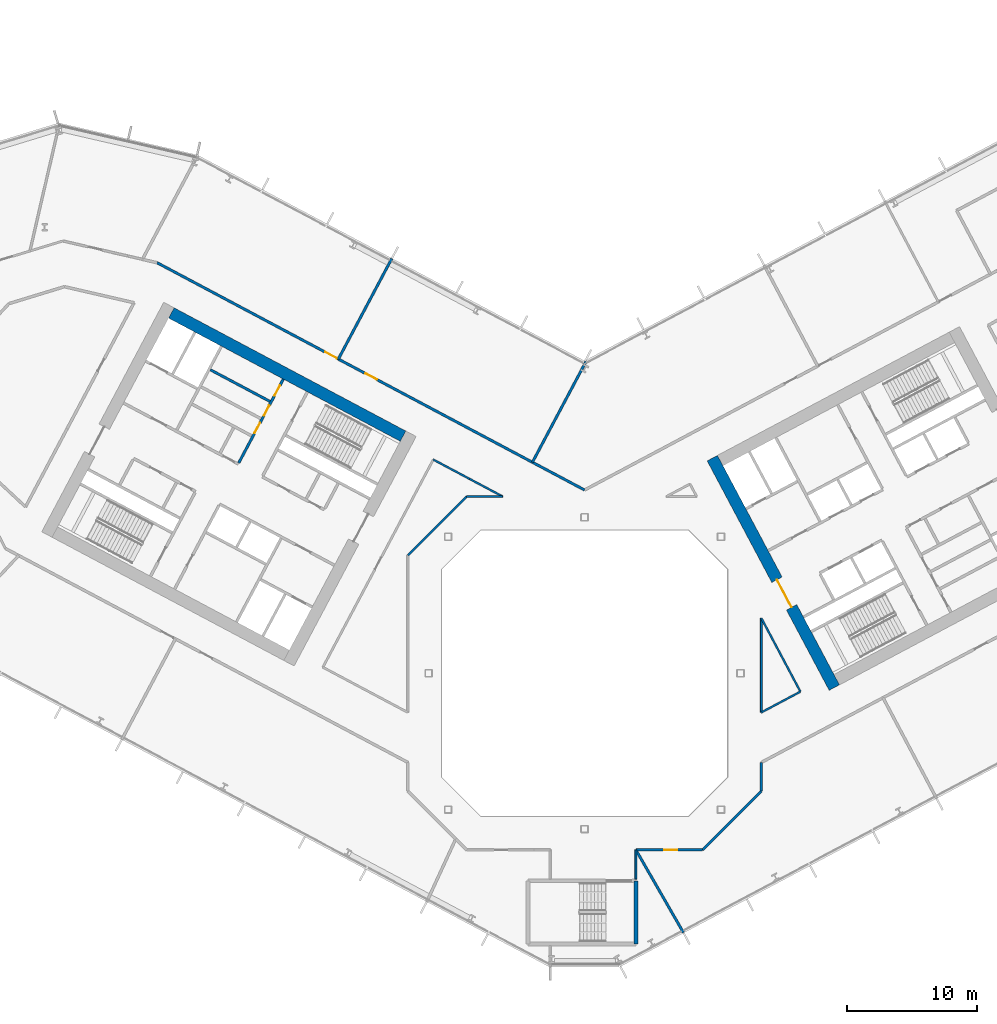
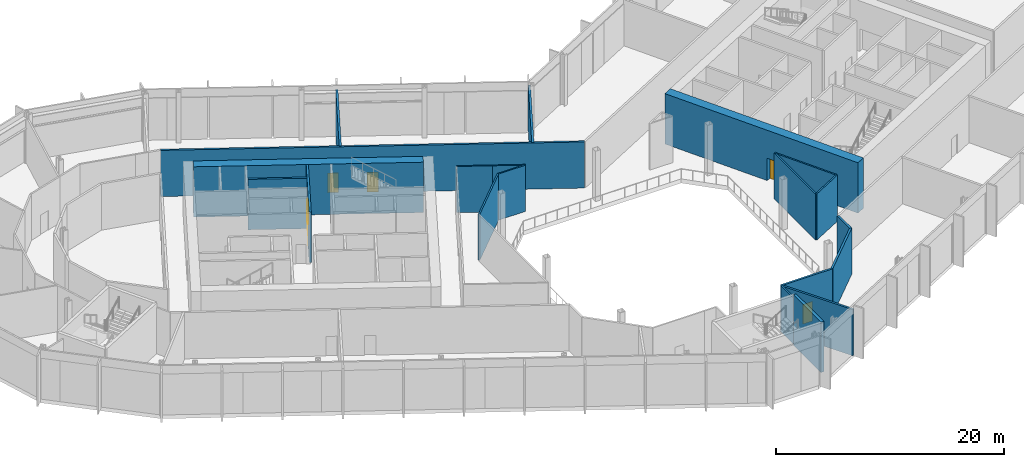
# One storey, part 14 of 31: 20 walls, 7 doors, 7 openings.
"""IFC4 building model written with IfcOpenShell, lengths in metres."""

from ifc_helpers import new_model, si_unit, direction, frame, frame_2d, origin, place, context, subcontext, project, spatial, rectangle, extrude, material, layer, layer_set, type_object, element, fill, save


model = new_model("IFC4")

# Units and contexts
model_context = context("Model", 3, precision=1e-05, world=origin(), true_north=direction((0.0, 1.0)))
body_context = subcontext(model_context, "Body", "Model", "MODEL_VIEW")
ifc_project = project(units=[si_unit("LENGTHUNIT", "METRE"), si_unit("AREAUNIT", "SQUARE_METRE"), si_unit("VOLUMEUNIT", "CUBIC_METRE"), si_unit("PLANEANGLEUNIT", "RADIAN"), si_unit("MASSUNIT", "GRAM", prefix="KILO")], contexts=[model_context])

# Site, building, storey
site_placement = place(None, origin())
site = spatial("IfcSite", under=ifc_project, at=site_placement, CompositionType="ELEMENT")
building_placement = place(site_placement, origin())
building = spatial("IfcBuilding", under=site, at=building_placement, Name="Cormorant Relay Tower", CompositionType="ELEMENT")
storey_placement = place(building_placement, frame((0.0, 0.0, 50.0)))
storey = spatial("IfcBuildingStorey", under=building, at=storey_placement, Name="L09", CompositionType="ELEMENT", Elevation=50.0)

# Wall
ifc_material_1 = material(Name="Concrete 40 MPa", Category="concrete")
ifc_layer_1 = layer(ifc_material_1, 0.199951171875)
ifc_layer_set_1 = layer_set([ifc_layer_1], Name="Core internal wall 200")
wall_type_1 = type_object("IfcWallType", Name="Core internal wall 200", PredefinedType="SOLIDWALL", material=ifc_layer_set_1)
wall_1_placement = place(storey_placement, frame((-24.214599609375, 20.91650390625, 0.0), z_axis=(0.0, 0.0, 1.0), x_axis=(-0.882964314875, 0.469440111896, 0.0)))
element("IfcWall", 1, at=wall_1_placement, inside=storey, type_object=wall_type_1, Name="L09 core A shaft and room wall", PredefinedType="SOLIDWALL", context=body_context, shape_type="SweptSolid", body=[
    extrude(rectangle(XDim=5.2001953125, YDim=0.199951171875, at=frame_2d((2.60009765625, 0.0))), origin(), (0.0, 0.0, 1.0), 5.39990234375),
])

# Wall, openings, doors
ifc_material_2 = material(Name="Concrete 50 MPa", Category="concrete")
ifc_layer_2 = layer(ifc_material_2, 0.199951171875)
ifc_layer_set_2 = layer_set([ifc_layer_2], Name="Core shaft wall 200")
wall_type_2 = type_object("IfcWallType", Name="Core shaft wall 200", PredefinedType="SHEAR", material=ifc_layer_set_2)
wall_2_placement = place(storey_placement, frame((-23.1875, 22.635498046875, 0.0), z_axis=(0.0, 0.0, 1.0), x_axis=(-0.469454336211, -0.882956752176, 0.0)))
wall_2 = element("IfcWall", 2, at=wall_2_placement, inside=storey, type_object=wall_type_2, Name="L09 core A shaft wall", PredefinedType="SHEAR", context=body_context, shape_type="SweptSolid", body=[
    extrude(rectangle(XDim=7.300048828125, YDim=0.199951171875, at=frame_2d((3.64990234375, 0.0))), origin(), (0.0, 0.0, 1.0), 5.39990234375),
])
opening_1_placement = place(wall_2_placement, frame((0.550048828125, 0.0, 0.0)))
opening_1 = element("IfcOpeningElement", 3, at=opening_1_placement, cuts=wall_2, Name="Opening CDD-071", PredefinedType="OPENING", context=body_context, shape_type="SweptSolid", body=[
    extrude(rectangle(XDim=0.89990234375, YDim=2.10009765625, at=frame_2d((0.449951171875, 1.050048828125))), frame((0.0, 0.10986328125, 0.0), z_axis=(0.0, -1.0, 0.0), x_axis=(1.0, 0.0, 0.0)), (0.0, 0.0, 1.0), 0.219970703125),
])
opening_2_placement = place(wall_2_placement, frame((2.300048828125, 0.0, 0.0)))
opening_2 = element("IfcOpeningElement", 4, at=opening_2_placement, cuts=wall_2, Name="Opening CDD-072", PredefinedType="OPENING", context=body_context, shape_type="SweptSolid", body=[
    extrude(rectangle(XDim=0.89990234375, YDim=2.10009765625, at=frame_2d((0.449951171875, 1.050048828125))), frame((0.0, 0.10986328125, 0.0), z_axis=(0.0, -1.0, 0.0), x_axis=(1.0, 0.0, 0.0)), (0.0, 0.0, 1.0), 0.219970703125),
])
opening_3_placement = place(wall_2_placement, frame((3.800048828125, 0.0, 0.0)))
opening_3 = element("IfcOpeningElement", 5, at=opening_3_placement, cuts=wall_2, Name="Opening CDD-073", PredefinedType="OPENING", context=body_context, shape_type="SweptSolid", body=[
    extrude(rectangle(XDim=0.89990234375, YDim=2.10009765625, at=frame_2d((0.449951171875, 1.050048828125))), frame((0.0, 0.10986328125, 0.0), z_axis=(0.0, -1.0, 0.0), x_axis=(1.0, 0.0, 0.0)), (0.0, 0.0, 1.0), 0.219970703125),
])
ifc_material_3 = material(Name="Steel fire door", Category="steel")
door_type_1 = type_object("IfcDoorType", Name="Core room door 900x2100", OperationType="SINGLE_SWING_LEFT", PredefinedType="DOOR", material=ifc_material_3)
door_1_placement = place(opening_1_placement, origin())
door_1 = element("IfcDoor", 6, at=door_1_placement, inside=storey, type_object=door_type_1, Name="Core room door 900x2100", OperationType="SINGLE_SWING_LEFT", OverallHeight=2.10009765625, OverallWidth=0.89990234375, PredefinedType="DOOR", context=body_context, shape_type="SweptSolid", body=[
    extrude(rectangle(XDim=0.89990234375, YDim=2.10009765625, at=frame_2d((0.449951171875, 1.050048828125))), frame((0.0, 0.02490234375, 0.0), z_axis=(0.0, -1.0, 0.0), x_axis=(1.0, 0.0, 0.0)), (0.0, 0.0, 1.0), 0.050048828125),
])
fill(opening_1, door_1)
door_2_placement = place(opening_2_placement, origin())
door_2 = element("IfcDoor", 7, at=door_2_placement, inside=storey, type_object=door_type_1, Name="Core room door 900x2100", OperationType="SINGLE_SWING_LEFT", OverallHeight=2.10009765625, OverallWidth=0.89990234375, PredefinedType="DOOR", context=body_context, shape_type="SweptSolid", body=[
    extrude(rectangle(XDim=0.89990234375, YDim=2.10009765625, at=frame_2d((0.449951171875, 1.050048828125))), frame((0.0, 0.02490234375, 0.0), z_axis=(0.0, -1.0, 0.0), x_axis=(1.0, 0.0, 0.0)), (0.0, 0.0, 1.0), 0.050048828125),
])
fill(opening_2, door_2)
door_3_placement = place(opening_3_placement, frame((0.89990234375, 0.0, 0.0), z_axis=(0.0, 0.0, 1.0), x_axis=(-1.0, 0.0, 0.0)))
door_3 = element("IfcDoor", 8, at=door_3_placement, inside=storey, type_object=door_type_1, Name="Core room door 900x2100", OperationType="SINGLE_SWING_RIGHT", OverallHeight=2.10009765625, OverallWidth=0.89990234375, PredefinedType="DOOR", context=body_context, shape_type="SweptSolid", body=[
    extrude(rectangle(XDim=0.89990234375, YDim=2.10009765625, at=frame_2d((0.449951171875, 1.050048828125))), frame((0.0, 0.02490234375, 0.0), z_axis=(0.0, -1.0, 0.0), x_axis=(1.0, 0.0, 0.0)), (0.0, 0.0, 1.0), 0.050048828125),
])
fill(opening_3, door_3)

# Wall
ifc_material_4 = material(Name="Concrete 70 MPa", Category="concrete")
ifc_layer_3 = layer(ifc_material_4, 0.89990234375)
ifc_layer_set_3 = layer_set([ifc_layer_3], Name="Core wall 900")
wall_type_3 = type_object("IfcWallType", Name="Core wall 900", PredefinedType="SHEAR", material=ifc_layer_set_3)
wall_3_placement = place(storey_placement, frame((-13.97021484375, 18.244140625, 0.0), z_axis=(0.0, 0.0, 1.0), x_axis=(-0.88294509198, 0.469476266226, 0.0)))
element("IfcWall", 9, at=wall_3_placement, inside=storey, type_object=wall_type_3, Name="L09 core A wall", PredefinedType="SHEAR", context=body_context, shape_type="SweptSolid", body=[
    extrude(rectangle(XDim=20.199951171875, YDim=0.89990234375, at=frame_2d((10.10009765625, 0.0))), origin(), (0.0, 0.0, 1.0), 5.39990234375),
])

# Wall, opening, door
wall_4_placement = place(storey_placement, frame((19.21923828125, -1.106689453125, 0.0), z_axis=(0.0, 0.0, 1.0), x_axis=(-0.46947084998, 0.882947971864, 0.0)))
wall_4 = element("IfcWall", 10, at=wall_4_placement, inside=storey, type_object=wall_type_3, Name="L09 core B wall", PredefinedType="SHEAR", context=body_context, shape_type="SweptSolid", body=[
    extrude(rectangle(XDim=20.0, YDim=0.89990234375, at=frame_2d((10.0, 0.0))), origin(), (0.0, 0.0, 1.0), 5.39990234375),
])
opening_4_placement = place(wall_4_placement, frame((7.0, 0.0, 0.0)))
opening_4 = element("IfcOpeningElement", 11, at=opening_4_placement, cuts=wall_4, Name="Opening CDA-015", PredefinedType="OPENING", context=body_context, shape_type="SweptSolid", body=[
    extrude(rectangle(XDim=2.39990234375, YDim=2.39990234375, at=frame_2d((1.199951171875, 1.199951171875))), frame((0.0, 0.4599609375, 0.0), z_axis=(0.0, -1.0, 0.0), x_axis=(1.0, 0.0, 0.0)), (0.0, 0.0, 1.0), 0.919921875),
])
ifc_material_5 = material(Name="Steel fire door", Category="steel")
door_type_2 = type_object("IfcDoorType", Name="Core lobby door 2400x2400", OperationType="DOUBLE_DOOR_SINGLE_SWING", PredefinedType="DOOR", material=ifc_material_5)
door_4_placement = place(opening_4_placement, frame((2.39990234375, 0.0, 0.0), z_axis=(0.0, 0.0, 1.0), x_axis=(-1.0, 0.0, 0.0)))
door_4 = element("IfcDoor", 12, at=door_4_placement, inside=storey, type_object=door_type_2, Name="Core lobby door 2400x2400", OperationType="DOUBLE_DOOR_SINGLE_SWING", OverallHeight=2.39990234375, OverallWidth=2.39990234375, PredefinedType="DOOR", context=body_context, shape_type="SweptSolid", body=[
    extrude(rectangle(XDim=2.39990234375, YDim=2.39990234375, at=frame_2d((1.199951171875, 1.199951171875))), frame((0.0, 0.02490234375, 0.0), z_axis=(0.0, -1.0, 0.0), x_axis=(1.0, 0.0, 0.0)), (0.0, 0.0, 1.0), 0.050048828125),
])
fill(opening_4, door_4)

# Wall, openings, doors
ifc_material_6 = material(Name="Fire-rated gypsum board partition")
ifc_layer_4 = layer(ifc_material_6, 0.199951171875)
ifc_layer_set_4 = layer_set([ifc_layer_4], Name="Fire-rated gypsum partition 200")
wall_type_4 = type_object("IfcWallType", Name="Fire-rated gypsum partition 200", PredefinedType="PARTITIONING", material=ifc_layer_set_4)
wall_5_placement = place(storey_placement, frame((-32.89404296875, 31.590087890625, 0.0), z_axis=(0.0, 0.0, 1.0), x_axis=(0.882948512555, -0.469469833085, 0.0)))
wall_5 = element("IfcWall", 13, at=wall_5_placement, inside=storey, type_object=wall_type_4, Name="wall/L09/part/32", PredefinedType="PARTITIONING", context=body_context, shape_type="SweptSolid", body=[
    extrude(rectangle(XDim=37.2548828125, YDim=0.199951171875, at=frame_2d((18.62744140625, 0.0))), origin(), (0.0, 0.0, 1.0), 4.949951171875),
])
opening_5_placement = place(wall_5_placement, frame((18.14990234375, 0.0, 0.0)))
opening_5 = element("IfcOpeningElement", 14, at=opening_5_placement, cuts=wall_5, Name="Opening FD1-049", PredefinedType="OPENING", context=body_context, shape_type="SweptSolid", body=[
    extrude(rectangle(XDim=1.0, YDim=2.10009765625, at=frame_2d((0.5, 1.050048828125))), frame((0.0, 0.10986328125, 0.0), z_axis=(0.0, -1.0, 0.0), x_axis=(1.0, 0.0, 0.0)), (0.0, 0.0, 1.0), 0.219970703125),
])
opening_6_placement = place(wall_5_placement, frame((14.64990234375, 0.0, 0.0)))
opening_6 = element("IfcOpeningElement", 15, at=opening_6_placement, cuts=wall_5, Name="Opening FD1-050", PredefinedType="OPENING", context=body_context, shape_type="SweptSolid", body=[
    extrude(rectangle(XDim=1.0, YDim=2.10009765625, at=frame_2d((0.5, 1.050048828125))), frame((0.0, 0.10986328125, 0.0), z_axis=(0.0, -1.0, 0.0), x_axis=(1.0, 0.0, 0.0)), (0.0, 0.0, 1.0), 0.219970703125),
])
ifc_material_7 = material(Name="Fire-rated steel door", Category="steel")
door_type_3 = type_object("IfcDoorType", Name="Fire door 1000 x 2100", OperationType="SINGLE_SWING_LEFT", PredefinedType="DOOR", material=ifc_material_7)
door_5_placement = place(opening_5_placement, origin())
door_5 = element("IfcDoor", 16, at=door_5_placement, inside=storey, type_object=door_type_3, Name="door/L09/11", OperationType="SINGLE_SWING_RIGHT", OverallHeight=2.10009765625, OverallWidth=1.0, PredefinedType="DOOR", context=body_context, shape_type="SweptSolid", body=[
    extrude(rectangle(XDim=1.0, YDim=2.10009765625, at=frame_2d((0.5, 1.050048828125))), frame((0.0, 0.02490234375, 0.0), z_axis=(0.0, -1.0, 0.0), x_axis=(1.0, 0.0, 0.0)), (0.0, 0.0, 1.0), 0.050048828125),
])
fill(opening_5, door_5)
door_6_placement = place(opening_6_placement, origin())
door_6 = element("IfcDoor", 17, at=door_6_placement, inside=storey, type_object=door_type_3, Name="door/L09/12", OperationType="SINGLE_SWING_RIGHT", OverallHeight=2.10009765625, OverallWidth=1.0, PredefinedType="DOOR", context=body_context, shape_type="SweptSolid", body=[
    extrude(rectangle(XDim=1.0, YDim=2.10009765625, at=frame_2d((0.5, 1.050048828125))), frame((0.0, 0.02490234375, 0.0), z_axis=(0.0, -1.0, 0.0), x_axis=(1.0, 0.0, 0.0)), (0.0, 0.0, 1.0), 0.050048828125),
])
fill(opening_6, door_6)

# Walls
wall_6_placement = place(storey_placement, frame((-14.843994140625, 31.903076171875, 0.0), z_axis=(0.0, 0.0, 1.0), x_axis=(-0.469374180568, -0.882999365014, 0.0)))
element("IfcWall", 18, at=wall_6_placement, inside=storey, type_object=wall_type_4, Name="wall/L09/part/34", PredefinedType="PARTITIONING", context=body_context, shape_type="SweptSolid", body=[
    extrude(rectangle(XDim=8.749755859375, YDim=0.199951171875, at=frame_2d((4.375, 0.0))), origin(), (0.0, 0.0, 1.0), 4.949951171875),
])
wall_7_placement = place(storey_placement, frame((0.10498046875, 23.98388671875, 0.0), z_axis=(0.0, 0.0, 1.0), x_axis=(-0.469364726907, -0.883004390213, 0.0)))
element("IfcWall", 19, at=wall_7_placement, inside=storey, type_object=wall_type_4, Name="wall/L09/part/38", PredefinedType="PARTITIONING", context=body_context, shape_type="SweptSolid", body=[
    extrude(rectangle(XDim=8.775390625, YDim=0.199951171875, at=frame_2d((4.3876953125, 0.0))), origin(), (0.0, 0.0, 1.0), 4.949951171875),
])
wall_8_placement = place(storey_placement, frame((13.60009765625, -6.885009765625, 0.0), z_axis=(0.0, 0.0, 1.0), x_axis=(0.0, -1.0, 0.0)))
element("IfcWall", 20, at=wall_8_placement, inside=storey, type_object=wall_type_4, Name="wall/L09/part/53", PredefinedType="PARTITIONING", context=body_context, shape_type="SweptSolid", body=[
    extrude(rectangle(XDim=2.19189453125, YDim=0.199951171875, at=frame_2d((1.095947265625, 0.0))), origin(), (0.0, 0.0, 1.0), 4.949951171875),
])
wall_9_placement = place(storey_placement, frame((13.60009765625, -9.076904296875, 0.0), z_axis=(0.0, 0.0, 1.0), x_axis=(-0.707106781187, -0.707106781187, 0.0)))
element("IfcWall", 21, at=wall_9_placement, inside=storey, type_object=wall_type_4, Name="wall/L09/part/54", PredefinedType="PARTITIONING", context=body_context, shape_type="SweptSolid", body=[
    extrude(rectangle(XDim=6.396728515625, YDim=0.199951171875, at=frame_2d((3.1982421875, 0.0))), origin(), (0.0, 0.0, 1.0), 4.949951171875),
])

# Wall, opening, door
wall_10_placement = place(storey_placement, frame((9.076904296875, -13.60009765625, 0.0), z_axis=(0.0, 0.0, 1.0), x_axis=(-1.0, 0.0, 0.0)))
wall_10 = element("IfcWall", 22, at=wall_10_placement, inside=storey, type_object=wall_type_4, Name="wall/L09/part/55", PredefinedType="PARTITIONING", context=body_context, shape_type="SweptSolid", body=[
    extrude(rectangle(XDim=5.126953125, YDim=0.199951171875, at=frame_2d((2.5634765625, 0.0))), origin(), (0.0, 0.0, 1.0), 4.949951171875),
])
opening_7_placement = place(wall_10_placement, frame((1.949951171875, 0.0, 0.0)))
opening_7 = element("IfcOpeningElement", 23, at=opening_7_placement, cuts=wall_10, Name="Opening FD1-022", PredefinedType="OPENING", context=body_context, shape_type="SweptSolid", body=[
    extrude(rectangle(XDim=1.0, YDim=2.10009765625, at=frame_2d((0.5, 1.050048828125))), frame((0.0, 0.10986328125, 0.0), z_axis=(0.0, -1.0, 0.0), x_axis=(1.0, 0.0, 0.0)), (0.0, 0.0, 1.0), 0.219970703125),
])
door_7_placement = place(opening_7_placement, origin())
door_7 = element("IfcDoor", 24, at=door_7_placement, inside=storey, type_object=door_type_3, Name="door/L09/3", OperationType="SINGLE_SWING_RIGHT", OverallHeight=2.10009765625, OverallWidth=1.0, PredefinedType="DOOR", context=body_context, shape_type="SweptSolid", body=[
    extrude(rectangle(XDim=1.0, YDim=2.10009765625, at=frame_2d((0.5, 1.050048828125))), frame((0.0, 0.02490234375, 0.0), z_axis=(0.0, -1.0, 0.0), x_axis=(1.0, 0.0, 0.0)), (0.0, 0.0, 1.0), 0.050048828125),
])
fill(opening_7, door_7)

# Walls
wall_11_placement = place(storey_placement, frame((7.60888671875, -19.965087890625, 0.0), z_axis=(0.0, 0.0, 1.0), x_axis=(-0.498375530061, 0.866961262708, 0.0)))
element("IfcWall", 25, at=wall_11_placement, inside=storey, type_object=wall_type_4, Name="wall/L09/part/56", PredefinedType="PARTITIONING", context=body_context, shape_type="SweptSolid", body=[
    extrude(rectangle(XDim=7.341796875, YDim=0.199951171875, at=frame_2d((3.6708984375, 0.0))), origin(), (0.0, 0.0, 1.0), 4.949951171875),
])
ifc_material_8 = material(Name="Gypsum board partition")
ifc_layer_5 = layer(ifc_material_8, 0.14990234375)
ifc_layer_set_5 = layer_set([ifc_layer_5], Name="Gypsum board partition 150")
wall_type_5 = type_object("IfcWallType", Name="Gypsum board partition 150", PredefinedType="PARTITIONING", material=ifc_layer_set_5)
wall_12_placement = place(storey_placement, frame((-11.64404296875, 16.44091796875, 0.0), z_axis=(0.0, 0.0, 1.0), x_axis=(0.882853947977, -0.469647640834, 0.0)))
element("IfcWall", 26, at=wall_12_placement, inside=storey, type_object=wall_type_5, Name="wall/L09/part/36", PredefinedType="PARTITIONING", context=body_context, shape_type="SweptSolid", body=[
    extrude(rectangle(XDim=3.1533203125, YDim=0.14990234375, at=frame_2d((1.57666015625, 0.0))), origin(), (0.0, 0.0, 1.0), 4.949951171875),
])
wall_13_placement = place(storey_placement, frame((-13.60009765625, 9.076904296875, 0.0), z_axis=(0.0, 0.0, 1.0), x_axis=(0.707106781187, 0.707106781187, 0.0)))
element("IfcWall", 27, at=wall_13_placement, inside=storey, type_object=wall_type_5, Name="wall/L09/part/42", PredefinedType="PARTITIONING", context=body_context, shape_type="SweptSolid", body=[
    extrude(rectangle(XDim=6.396728515625, YDim=0.14990234375, at=frame_2d((3.1982421875, 0.0))), origin(), (0.0, 0.0, 1.0), 4.949951171875),
])
wall_14_placement = place(storey_placement, frame((-6.301025390625, 13.60009765625, 0.0), z_axis=(0.0, 0.0, 1.0), x_axis=(-1.0, 0.0, 0.0)))
element("IfcWall", 28, at=wall_14_placement, inside=storey, type_object=wall_type_5, Name="wall/L09/part/46", PredefinedType="PARTITIONING", context=body_context, shape_type="SweptSolid", body=[
    extrude(rectangle(XDim=2.77587890625, YDim=0.14990234375, at=frame_2d((1.387939453125, 0.0))), origin(), (0.0, 0.0, 1.0), 4.949951171875),
])
wall_15_placement = place(storey_placement, frame((-6.301025390625, 13.60009765625, 0.0), z_axis=(0.0, 0.0, 1.0), x_axis=(-0.883065539011, 0.469249671083, 0.0)))
element("IfcWall", 29, at=wall_15_placement, inside=storey, type_object=wall_type_5, Name="wall/L09/part/47", PredefinedType="PARTITIONING", context=body_context, shape_type="SweptSolid", body=[
    extrude(rectangle(XDim=2.89794921875, YDim=0.14990234375, at=frame_2d((1.448974609375, 0.0))), origin(), (0.0, 0.0, 1.0), 4.949951171875),
])
wall_16_placement = place(storey_placement, frame((3.949951171875, -13.60009765625, 0.0), z_axis=(0.0, 0.0, 1.0), x_axis=(0.0, -1.0, 0.0)))
element("IfcWall", 30, at=wall_16_placement, inside=storey, type_object=wall_type_5, Name="wall/L09/part/52", PredefinedType="PARTITIONING", context=body_context, shape_type="SweptSolid", body=[
    extrude(rectangle(XDim=2.239990234375, YDim=0.14990234375, at=frame_2d((1.1201171875, 0.0))), origin(), (0.0, 0.0, 1.0), 4.949951171875),
])
wall_17_placement = place(storey_placement, frame((13.60009765625, 4.242919921875, 0.0), z_axis=(0.0, 0.0, 1.0), x_axis=(0.0, -1.0, 0.0)))
element("IfcWall", 31, at=wall_17_placement, inside=storey, type_object=wall_type_5, Name="wall/L09/part/88", PredefinedType="PARTITIONING", context=body_context, shape_type="SweptSolid", body=[
    extrude(rectangle(XDim=7.261962890625, YDim=0.14990234375, at=frame_2d((3.630859375, 0.0))), origin(), (0.0, 0.0, 1.0), 4.949951171875),
])
wall_18_placement = place(storey_placement, frame((13.60009765625, -3.01904296875, 0.0), z_axis=(0.0, 0.0, 1.0), x_axis=(0.8828717575, 0.469614160571, 0.0)))
element("IfcWall", 32, at=wall_18_placement, inside=storey, type_object=wall_type_5, Name="wall/L09/part/89", PredefinedType="PARTITIONING", context=body_context, shape_type="SweptSolid", body=[
    extrude(rectangle(XDim=3.409423828125, YDim=0.14990234375, at=frame_2d((1.70458984375, 0.0))), origin(), (0.0, 0.0, 1.0), 4.949951171875),
])
wall_19_placement = place(storey_placement, frame((16.610107421875, -1.41796875, 0.0), z_axis=(0.0, 0.0, 1.0), x_axis=(-0.469479085554, 0.882943592891, 0.0)))
element("IfcWall", 33, at=wall_19_placement, inside=storey, type_object=wall_type_5, Name="wall/L09/part/90", PredefinedType="PARTITIONING", context=body_context, shape_type="SweptSolid", body=[
    extrude(rectangle(XDim=6.411376953125, YDim=0.14990234375, at=frame_2d((3.20556640625, 0.0))), origin(), (0.0, 0.0, 1.0), 4.949951171875),
])
ifc_material_9 = material(Name="Concrete 50 MPa", Category="concrete")
ifc_layer_6 = layer(ifc_material_9, 0.300048828125)
ifc_layer_set_6 = layer_set([ifc_layer_6], Name="Remote stair wall 300")
wall_type_6 = type_object("IfcWallType", Name="Remote stair wall 300", PredefinedType="SHEAR", material=ifc_layer_set_6)
wall_20_placement = place(storey_placement, frame((3.949951171875, -15.97509765625, 0.0), z_axis=(0.0, 0.0, 1.0), x_axis=(0.0, -1.0, 0.0)))
element("IfcWall", 34, at=wall_20_placement, inside=storey, type_object=wall_type_6, Name="L09 exit stair RK1 wall", PredefinedType="SHEAR", context=body_context, shape_type="SweptSolid", body=[
    extrude(rectangle(XDim=4.849853515625, YDim=0.300048828125, at=frame_2d((2.4248046875, 0.0))), origin(), (0.0, 0.0, 1.0), 5.39990234375),
])

save(model, "model.ifc")
